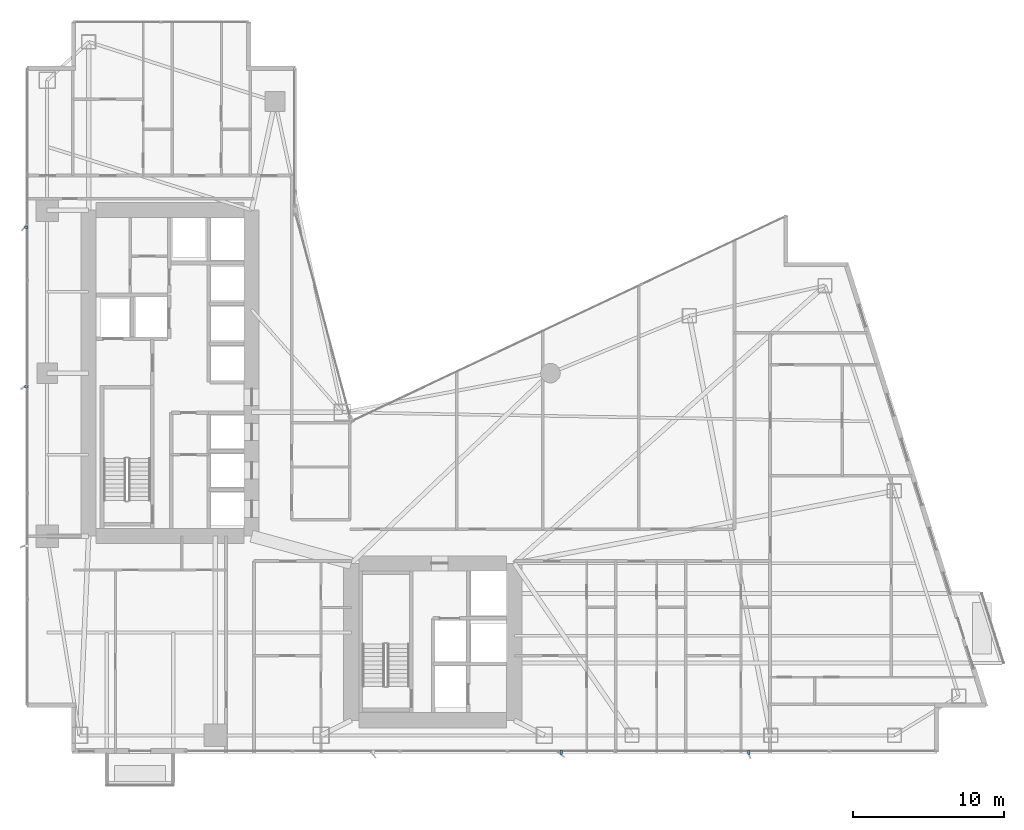
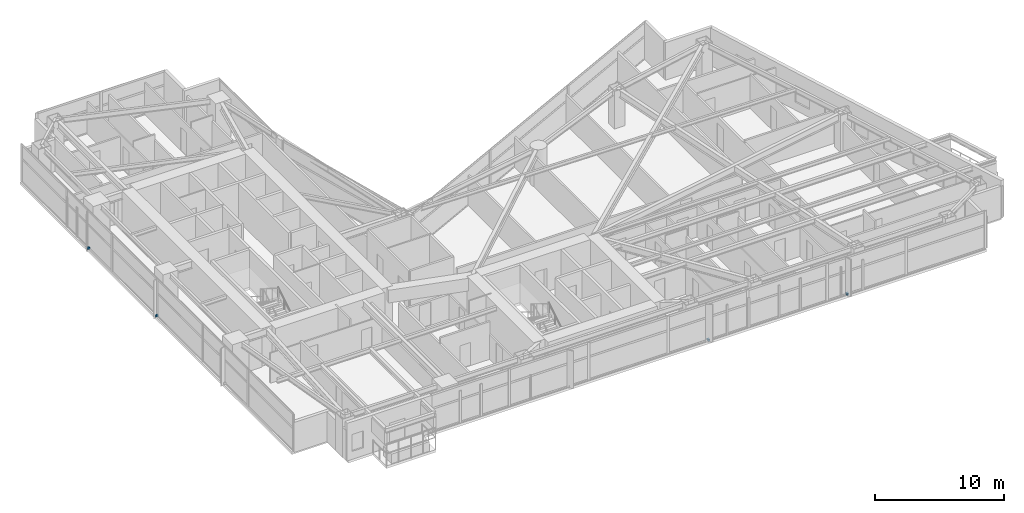
# One storey, part 27 of 30: 4 discrete accessories.
"""IFC4 building model written with IfcOpenShell, lengths in metres."""

from ifc_helpers import new_model, si_unit, direction, frame, origin, origin_2d, place, context, subcontext, project, spatial, rectangle, extrude, material, type_object, element, save


model = new_model("IFC4")

# Units and contexts
model_context = context("Model", 3, precision=1e-05, world=origin(), true_north=direction((0.0, 1.0)))
body_context = subcontext(model_context, "Body", "Model", "MODEL_VIEW")
ifc_project = project(units=[si_unit("LENGTHUNIT", "METRE"), si_unit("AREAUNIT", "SQUARE_METRE"), si_unit("VOLUMEUNIT", "CUBIC_METRE"), si_unit("PLANEANGLEUNIT", "RADIAN"), si_unit("MASSUNIT", "GRAM", prefix="KILO")], contexts=[model_context])

# Site, building, storey
site_placement = place(None, origin())
site = spatial("IfcSite", under=ifc_project, at=site_placement, CompositionType="ELEMENT")
building_placement = place(site_placement, origin())
building = spatial("IfcBuilding", under=site, at=building_placement, Name="Calvorn Quay Hotel", CompositionType="ELEMENT")
storey_placement = place(building_placement, frame((0.0, 0.0, 50.800048828125)))
storey = spatial("IfcBuildingStorey", under=building, at=storey_placement, Name="L11", CompositionType="ELEMENT", Elevation=50.800048828125)

# Discrete accessories
ifc_material = material(Name="Steel Q355B", Category="steel")
discrete_accessory_type = type_object("IfcDiscreteAccessoryType", Name="ACC-FIN-BRACKET", PredefinedType="BRACKET", material=ifc_material)
for number, where, z_axis, x_axis, name in (
    (1, (0.06005859375, 26.699951171875, 0.02978515625), (0.0, 0.0, 1.0), (1.0, 0.0, 0.0), "Fin Anchor Bracket L11-W02"),
    (2, (0.06005859375, 37.25, 0.02978515625), (0.0, 0.0, 1.0), (1.0, 0.0, 0.0), "Fin Anchor Bracket L11-W03"),
    (3, (35.5, 2.4599609375, 0.02978515625), (0.0, 0.0, 1.0), (0.0, 1.0, 0.0), "Fin Anchor Bracket L11-S02"),
    (4, (47.949951171875, 2.4599609375, 0.02978515625), (0.0, 0.0, 1.0), (0.0, 1.0, 0.0), "Fin Anchor Bracket L11-S03"),
):
    element("IfcDiscreteAccessory", number, at=place(storey_placement, frame(where, z_axis=z_axis, x_axis=x_axis)), inside=storey, type_object=discrete_accessory_type, Name=name, PredefinedType="BRACKET", context=body_context, shape_type="SweptSolid", body=[
        extrude(rectangle(XDim=0.239990234375, YDim=0.159912109375, at=origin_2d()), origin(), (0.0, 0.0, 1.0), 0.179931640625),
    ])

save(model, "model.ifc")
